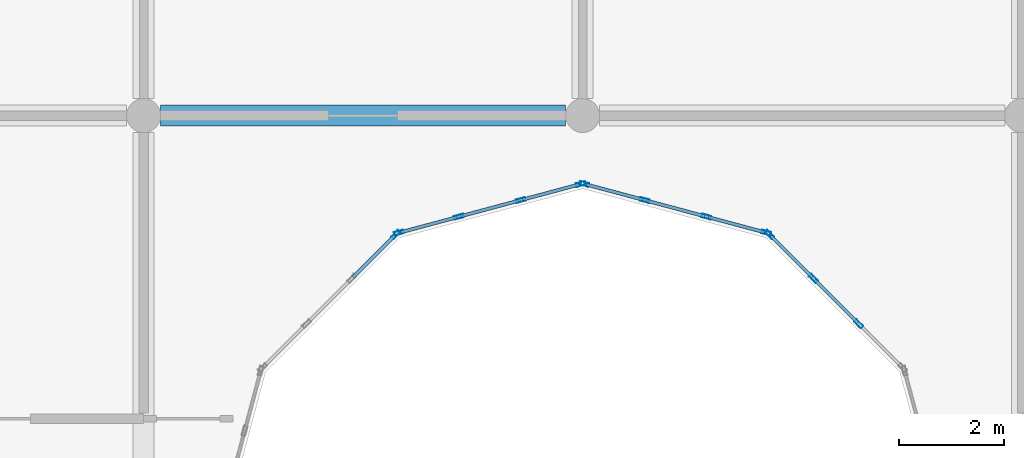
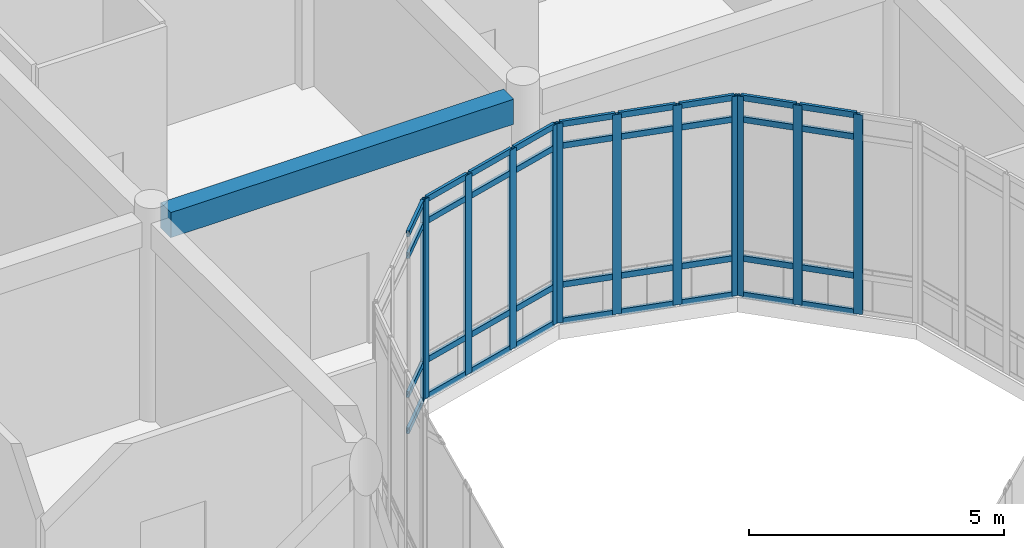
# One storey, part 47 of 134: 48 members, 1 beam, 4 elements without a shape of their own.
"""IFC4 building model written with IfcOpenShell, lengths in metres."""

from ifc_helpers import new_model, si_unit, direction, frame, origin, origin_2d, place, context, subcontext, project, spatial, rectangle, hollow_rectangle, extrude, material, layer, layer_set, material_profile, profile_set, type_object, element, aggregate, save


model = new_model("IFC4")

# Units and contexts
model_context = context("Model", 3, precision=1e-05, world=origin(), true_north=direction((0.0, 1.0)))
body_context = subcontext(model_context, "Body", "Model", "MODEL_VIEW")
ifc_project = project(units=[si_unit("LENGTHUNIT", "METRE"), si_unit("AREAUNIT", "SQUARE_METRE"), si_unit("VOLUMEUNIT", "CUBIC_METRE"), si_unit("PLANEANGLEUNIT", "RADIAN"), si_unit("MASSUNIT", "GRAM", prefix="KILO")], contexts=[model_context])

# Site, building, storey
site_placement = place(None, origin())
site = spatial("IfcSite", under=ifc_project, at=site_placement, CompositionType="ELEMENT")
building_placement = place(site_placement, origin())
building = spatial("IfcBuilding", under=site, at=building_placement, Name="Bramfleet General Hospital", CompositionType="ELEMENT")
storey_placement = place(building_placement, frame((0.0, 0.0, 9.300048828125)))
storey = spatial("IfcBuildingStorey", under=building, at=storey_placement, Name="L02", CompositionType="ELEMENT", Elevation=9.300048828125)

# Beam
ifc_material_1 = material(Name="Concrete C35/45", Category="concrete")
ifc_material_profile_1 = material_profile(ifc_material_1, rectangle(XDim=0.39990234375, YDim=0.60009765625, at=origin_2d()), Name="RC BM 600x400")
ifc_profile_set_1 = profile_set([ifc_material_profile_1], Name="Concrete C35/45")
beam_type = type_object("IfcBeamType", Name="BM-RC600", PredefinedType="BEAM", material=ifc_profile_set_1)
beam_placement = place(storey_placement, frame((75.925048828125, 84.0, 4.47998046875), z_axis=(1.0, 0.0, 0.0), x_axis=(0.0, 1.0, 0.0)))
element("IfcBeam", 1, at=beam_placement, inside=storey, type_object=beam_type, Name="L02 Grid Beam X 09-10", PredefinedType="BEAM", context=body_context, shape_type="SweptSolid", body=[
    extrude(rectangle(XDim=0.39990234375, YDim=0.60009765625, at=origin_2d()), origin(), (0.0, 0.0, 1.0), 7.75),
])

# Curtain wall, members
ifc_material_2 = material(Name="Anodised aluminium and low-E triple glazing", Category="aluminium")
ifc_layer_1 = layer(ifc_material_2, 0.179931640625, Name="CWT-CW-16")
ifc_layer_set_1 = layer_set([ifc_layer_1], Name="Anodised aluminium and low-E triple glazing")
curtain_wall_type_1 = type_object("IfcCurtainWallType", Name="CWT-CW-16", PredefinedType="USERDEFINED", material=ifc_layer_set_1)
curtain_wall_1_placement = place(storey_placement, origin())
curtain_wall_1 = element("IfcCurtainWall", 2, at=curtain_wall_1_placement, inside=storey, type_object=curtain_wall_type_1, Name="L02 Central Diagnostic Light Court Curtain Wall 8.1", ObjectType="Stick curtain wall", PredefinedType="USERDEFINED")
ifc_material_3 = material(Name="Anodised aluminium EN AW-6060", Category="aluminium")
ifc_material_profile_2 = material_profile(ifc_material_3, hollow_rectangle(XDim=0.070068359375, YDim=0.179931640625, WallThickness=0.00390625, at=origin_2d()), Name="ALU 180x70x4.0")
ifc_profile_set_2 = profile_set([ifc_material_profile_2], Name="Anodised aluminium EN AW-6060")
member_type_1 = type_object("IfcMemberType", Name="CWM-ALU180", PredefinedType="MULLION", material=ifc_profile_set_2)
member_1_placement = place(storey_placement, frame((89.28271484375, 80.016357421875, 0.0), z_axis=(0.0, 0.0, 1.0), x_axis=(-0.707106781187, -0.707106781187, 0.0)))
member_1 = element("IfcMember", 3, at=member_1_placement, type_object=member_type_1, Name="CW-16 mullion 2", PredefinedType="MULLION", context=body_context, shape_type="SweptSolid", body=[
    extrude(hollow_rectangle(XDim=0.070068359375, YDim=0.179931640625, WallThickness=0.00390625, at=origin_2d()), origin(), (0.0, 0.0, 1.0), 4.77001953125),
])
member_2_placement = place(storey_placement, frame((88.416259765625, 80.882568359375, 0.0), z_axis=(0.0, 0.0, 1.0), x_axis=(-0.707106781187, -0.707106781187, 0.0)))
member_2 = element("IfcMember", 4, at=member_2_placement, type_object=member_type_1, Name="CW-16 mullion 3", PredefinedType="MULLION", context=body_context, shape_type="SweptSolid", body=[
    extrude(hollow_rectangle(XDim=0.070068359375, YDim=0.179931640625, WallThickness=0.00390625, at=origin_2d()), origin(), (0.0, 0.0, 1.0), 4.77001953125),
])
member_3_placement = place(storey_placement, frame((87.57470703125, 81.724365234375, 0.0), z_axis=(0.0, 0.0, 1.0), x_axis=(-0.707106781187, -0.707106781187, 0.0)))
member_3 = element("IfcMember", 5, at=member_3_placement, type_object=member_type_1, Name="CW-16 mullion 4", PredefinedType="MULLION", context=body_context, shape_type="SweptSolid", body=[
    extrude(hollow_rectangle(XDim=0.070068359375, YDim=0.179931640625, WallThickness=0.00390625, at=origin_2d()), origin(), (0.0, 0.0, 1.0), 4.77001953125),
])

ifc_layer_2 = layer(ifc_material_2, 0.179931640625, Name="CWT-CW-17")
ifc_layer_set_2 = layer_set([ifc_layer_2], Name="Anodised aluminium and low-E triple glazing")
curtain_wall_type_2 = type_object("IfcCurtainWallType", Name="CWT-CW-17", PredefinedType="USERDEFINED", material=ifc_layer_set_2)
curtain_wall_2_placement = place(storey_placement, origin())
curtain_wall_2 = element("IfcCurtainWall", 6, at=curtain_wall_2_placement, inside=storey, type_object=curtain_wall_type_2, Name="L02 Central Diagnostic Light Court Curtain Wall 9.1", ObjectType="Stick curtain wall", PredefinedType="USERDEFINED")
member_4_placement = place(storey_placement, frame((87.51611328125, 81.758056640625, 0.0), z_axis=(0.0, 0.0, 1.0), x_axis=(-0.258763286618, -0.965940765005, 0.0)))
member_4 = element("IfcMember", 7, at=member_4_placement, type_object=member_type_1, Name="CW-17 mullion 1", PredefinedType="MULLION", context=body_context, shape_type="SweptSolid", body=[
    extrude(hollow_rectangle(XDim=0.070068359375, YDim=0.179931640625, WallThickness=0.00390625, at=origin_2d()), origin(), (0.0, 0.0, 1.0), 4.77001953125),
])
member_5_placement = place(storey_placement, frame((86.36669921875, 82.06591796875, 0.0), z_axis=(0.0, 0.0, 1.0), x_axis=(-0.258763286618, -0.965940765005, 0.0)))
member_5 = element("IfcMember", 8, at=member_5_placement, type_object=member_type_1, Name="CW-17 mullion 2", PredefinedType="MULLION", context=body_context, shape_type="SweptSolid", body=[
    extrude(hollow_rectangle(XDim=0.070068359375, YDim=0.179931640625, WallThickness=0.00390625, at=origin_2d()), origin(), (0.0, 0.0, 1.0), 4.77001953125),
])
member_6_placement = place(storey_placement, frame((85.183349609375, 82.383056640625, 0.0), z_axis=(0.0, 0.0, 1.0), x_axis=(-0.258763286618, -0.965940765005, 0.0)))
member_6 = element("IfcMember", 9, at=member_6_placement, type_object=member_type_1, Name="CW-17 mullion 3", PredefinedType="MULLION", context=body_context, shape_type="SweptSolid", body=[
    extrude(hollow_rectangle(XDim=0.070068359375, YDim=0.179931640625, WallThickness=0.00390625, at=origin_2d()), origin(), (0.0, 0.0, 1.0), 4.77001953125),
])
member_7_placement = place(storey_placement, frame((84.03369140625, 82.69091796875, 0.0), z_axis=(0.0, 0.0, 1.0), x_axis=(-0.258763286618, -0.965940765005, 0.0)))
member_7 = element("IfcMember", 10, at=member_7_placement, type_object=member_type_1, Name="CW-17 mullion 4", PredefinedType="MULLION", context=body_context, shape_type="SweptSolid", body=[
    extrude(hollow_rectangle(XDim=0.070068359375, YDim=0.179931640625, WallThickness=0.00390625, at=origin_2d()), origin(), (0.0, 0.0, 1.0), 4.77001953125),
])

ifc_layer_3 = layer(ifc_material_2, 0.179931640625, Name="CWT-CW-18")
ifc_layer_set_3 = layer_set([ifc_layer_3], Name="Anodised aluminium and low-E triple glazing")
curtain_wall_type_3 = type_object("IfcCurtainWallType", Name="CWT-CW-18", PredefinedType="USERDEFINED", material=ifc_layer_set_3)
curtain_wall_3_placement = place(storey_placement, origin())
curtain_wall_3 = element("IfcCurtainWall", 11, at=curtain_wall_3_placement, inside=storey, type_object=curtain_wall_type_3, Name="L02 Central Diagnostic Light Court Curtain Wall 10.1", ObjectType="Stick curtain wall", PredefinedType="USERDEFINED")
member_8_placement = place(storey_placement, frame((83.96630859375, 82.69091796875, 0.0), z_axis=(0.0, 0.0, 1.0), x_axis=(0.258763286618, -0.965940765005, 0.0)))
member_8 = element("IfcMember", 12, at=member_8_placement, type_object=member_type_1, Name="CW-18 mullion 1", PredefinedType="MULLION", context=body_context, shape_type="SweptSolid", body=[
    extrude(hollow_rectangle(XDim=0.070068359375, YDim=0.179931640625, WallThickness=0.00390625, at=origin_2d()), origin(), (0.0, 0.0, 1.0), 4.77001953125),
])
member_9_placement = place(storey_placement, frame((82.816650390625, 82.383056640625, 0.0), z_axis=(0.0, 0.0, 1.0), x_axis=(0.258763286618, -0.965940765005, 0.0)))
member_9 = element("IfcMember", 13, at=member_9_placement, type_object=member_type_1, Name="CW-18 mullion 2", PredefinedType="MULLION", context=body_context, shape_type="SweptSolid", body=[
    extrude(hollow_rectangle(XDim=0.070068359375, YDim=0.179931640625, WallThickness=0.00390625, at=origin_2d()), origin(), (0.0, 0.0, 1.0), 4.77001953125),
])
member_10_placement = place(storey_placement, frame((81.63330078125, 82.06591796875, 0.0), z_axis=(0.0, 0.0, 1.0), x_axis=(0.258763286618, -0.965940765005, 0.0)))
member_10 = element("IfcMember", 14, at=member_10_placement, type_object=member_type_1, Name="CW-18 mullion 3", PredefinedType="MULLION", context=body_context, shape_type="SweptSolid", body=[
    extrude(hollow_rectangle(XDim=0.070068359375, YDim=0.179931640625, WallThickness=0.00390625, at=origin_2d()), origin(), (0.0, 0.0, 1.0), 4.77001953125),
])
member_11_placement = place(storey_placement, frame((80.48388671875, 81.758056640625, 0.0), z_axis=(0.0, 0.0, 1.0), x_axis=(0.258763286618, -0.965940765005, 0.0)))
member_11 = element("IfcMember", 15, at=member_11_placement, type_object=member_type_1, Name="CW-18 mullion 4", PredefinedType="MULLION", context=body_context, shape_type="SweptSolid", body=[
    extrude(hollow_rectangle(XDim=0.070068359375, YDim=0.179931640625, WallThickness=0.00390625, at=origin_2d()), origin(), (0.0, 0.0, 1.0), 4.77001953125),
])

# Curtain wall, member
ifc_layer_4 = layer(ifc_material_2, 0.179931640625, Name="CWT-CW-11")
ifc_layer_set_4 = layer_set([ifc_layer_4], Name="Anodised aluminium and low-E triple glazing")
curtain_wall_type_4 = type_object("IfcCurtainWallType", Name="CWT-CW-11", PredefinedType="USERDEFINED", material=ifc_layer_set_4)
curtain_wall_4_placement = place(storey_placement, origin())
curtain_wall_4 = element("IfcCurtainWall", 16, at=curtain_wall_4_placement, inside=storey, type_object=curtain_wall_type_4, Name="L02 Central Diagnostic Light Court Curtain Wall 11.1", ObjectType="Stick curtain wall", PredefinedType="USERDEFINED")
member_12_placement = place(storey_placement, frame((80.42529296875, 81.724365234375, 0.0), z_axis=(0.0, 0.0, 1.0), x_axis=(0.707106781187, -0.707106781187, 0.0)))
member_12 = element("IfcMember", 17, at=member_12_placement, type_object=member_type_1, Name="CW-11 mullion 1", PredefinedType="MULLION", context=body_context, shape_type="SweptSolid", body=[
    extrude(hollow_rectangle(XDim=0.070068359375, YDim=0.179931640625, WallThickness=0.00390625, at=origin_2d()), origin(), (0.0, 0.0, 1.0), 4.77001953125),
])

# Member
ifc_material_profile_3 = material_profile(ifc_material_3, hollow_rectangle(XDim=0.06494140625, YDim=0.139892578125, WallThickness=0.00390625, at=origin_2d()), Name="ALU 140x65x4.0")
ifc_profile_set_3 = profile_set([ifc_material_profile_3], Name="Anodised aluminium EN AW-6060")
member_type_2 = type_object("IfcMemberType", Name="CWT-ALU140", PredefinedType="USERDEFINED", material=ifc_profile_set_3)
member_13_placement = place(storey_placement, frame((89.2578125, 80.041015625, 0.032470703125), z_axis=(-0.707001093006, 0.707212453572, 0.0), x_axis=(-0.707212453572, -0.707001093006, 0.0)))
member_13 = element("IfcMember", 18, at=member_13_placement, type_object=member_type_2, Name="CW-16 transom 2.1", ObjectType="TRANSOM", PredefinedType="USERDEFINED", context=body_context, shape_type="SweptSolid", body=[
    extrude(hollow_rectangle(XDim=0.06494140625, YDim=0.139892578125, WallThickness=0.00390625, at=origin_2d()), origin(), (0.0, 0.0, 1.0), 1.155029296875),
])

member_14_placement = place(storey_placement, frame((89.2578125, 80.041015625, 0.89990234375), z_axis=(-0.707001093006, 0.707212453572, 0.0), x_axis=(-0.707212453572, -0.707001093006, 0.0)))
member_14 = element("IfcMember", 19, at=member_14_placement, type_object=member_type_2, Name="CW-16 transom 2.2", ObjectType="TRANSOM", PredefinedType="USERDEFINED", context=body_context, shape_type="SweptSolid", body=[
    extrude(hollow_rectangle(XDim=0.06494140625, YDim=0.139892578125, WallThickness=0.00390625, at=origin_2d()), origin(), (0.0, 0.0, 1.0), 1.155029296875),
])

member_15_placement = place(storey_placement, frame((89.2578125, 80.041015625, 4.219970703125), z_axis=(-0.707001093006, 0.707212453572, 0.0), x_axis=(-0.707212453572, -0.707001093006, 0.0)))
member_15 = element("IfcMember", 20, at=member_15_placement, type_object=member_type_2, Name="CW-16 transom 2.3", ObjectType="TRANSOM", PredefinedType="USERDEFINED", context=body_context, shape_type="SweptSolid", body=[
    extrude(hollow_rectangle(XDim=0.06494140625, YDim=0.139892578125, WallThickness=0.00390625, at=origin_2d()), origin(), (0.0, 0.0, 1.0), 1.155029296875),
])

member_16_placement = place(storey_placement, frame((89.2578125, 80.041015625, 4.737548828125), z_axis=(-0.707001093006, 0.707212453572, 0.0), x_axis=(-0.707212453572, -0.707001093006, 0.0)))
member_16 = element("IfcMember", 21, at=member_16_placement, type_object=member_type_2, Name="CW-16 transom 2.4", ObjectType="TRANSOM", PredefinedType="USERDEFINED", context=body_context, shape_type="SweptSolid", body=[
    extrude(hollow_rectangle(XDim=0.06494140625, YDim=0.139892578125, WallThickness=0.00390625, at=origin_2d()), origin(), (0.0, 0.0, 1.0), 1.155029296875),
])

member_17_placement = place(storey_placement, frame((88.3916015625, 80.907470703125, 0.032470703125), z_axis=(-0.707106781187, 0.707106781187, 0.0), x_axis=(-0.707106781187, -0.707106781187, 0.0)))
member_17 = element("IfcMember", 22, at=member_17_placement, type_object=member_type_2, Name="CW-16 transom 3.1", ObjectType="TRANSOM", PredefinedType="USERDEFINED", context=body_context, shape_type="SweptSolid", body=[
    extrude(hollow_rectangle(XDim=0.06494140625, YDim=0.139892578125, WallThickness=0.00390625, at=origin_2d()), origin(), (0.0, 0.0, 1.0), 1.1201171875),
])

member_18_placement = place(storey_placement, frame((88.3916015625, 80.907470703125, 0.89990234375), z_axis=(-0.707106781187, 0.707106781187, 0.0), x_axis=(-0.707106781187, -0.707106781187, 0.0)))
member_18 = element("IfcMember", 23, at=member_18_placement, type_object=member_type_2, Name="CW-16 transom 3.2", ObjectType="TRANSOM", PredefinedType="USERDEFINED", context=body_context, shape_type="SweptSolid", body=[
    extrude(hollow_rectangle(XDim=0.06494140625, YDim=0.139892578125, WallThickness=0.00390625, at=origin_2d()), origin(), (0.0, 0.0, 1.0), 1.1201171875),
])

member_19_placement = place(storey_placement, frame((88.3916015625, 80.907470703125, 4.219970703125), z_axis=(-0.707106781187, 0.707106781187, 0.0), x_axis=(-0.707106781187, -0.707106781187, 0.0)))
member_19 = element("IfcMember", 24, at=member_19_placement, type_object=member_type_2, Name="CW-16 transom 3.3", ObjectType="TRANSOM", PredefinedType="USERDEFINED", context=body_context, shape_type="SweptSolid", body=[
    extrude(hollow_rectangle(XDim=0.06494140625, YDim=0.139892578125, WallThickness=0.00390625, at=origin_2d()), origin(), (0.0, 0.0, 1.0), 1.1201171875),
])

member_20_placement = place(storey_placement, frame((88.3916015625, 80.907470703125, 4.737548828125), z_axis=(-0.707106781187, 0.707106781187, 0.0), x_axis=(-0.707106781187, -0.707106781187, 0.0)))
member_20 = element("IfcMember", 25, at=member_20_placement, type_object=member_type_2, Name="CW-16 transom 3.4", ObjectType="TRANSOM", PredefinedType="USERDEFINED", context=body_context, shape_type="SweptSolid", body=[
    extrude(hollow_rectangle(XDim=0.06494140625, YDim=0.139892578125, WallThickness=0.00390625, at=origin_2d()), origin(), (0.0, 0.0, 1.0), 1.1201171875),
])

aggregate(curtain_wall_1, [member_1, member_2, member_3, member_13, member_14, member_15, member_16, member_17, member_18, member_19, member_20])

member_21_placement = place(storey_placement, frame((87.482421875, 81.76708984375, 0.032470703125), z_axis=(-0.965955832691, 0.25870703371, 0.0), x_axis=(-0.25870703371, -0.965955832691, 0.0)))
member_21 = element("IfcMember", 26, at=member_21_placement, type_object=member_type_2, Name="CW-17 transom 1.1", ObjectType="TRANSOM", PredefinedType="USERDEFINED", context=body_context, shape_type="SweptSolid", body=[
    extrude(hollow_rectangle(XDim=0.06494140625, YDim=0.139892578125, WallThickness=0.00390625, at=origin_2d()), origin(), (0.0, 0.0, 1.0), 1.1201171875),
])

member_22_placement = place(storey_placement, frame((87.482421875, 81.76708984375, 0.89990234375), z_axis=(-0.965955832691, 0.25870703371, 0.0), x_axis=(-0.25870703371, -0.965955832691, 0.0)))
member_22 = element("IfcMember", 27, at=member_22_placement, type_object=member_type_2, Name="CW-17 transom 1.2", ObjectType="TRANSOM", PredefinedType="USERDEFINED", context=body_context, shape_type="SweptSolid", body=[
    extrude(hollow_rectangle(XDim=0.06494140625, YDim=0.139892578125, WallThickness=0.00390625, at=origin_2d()), origin(), (0.0, 0.0, 1.0), 1.1201171875),
])

member_23_placement = place(storey_placement, frame((87.482421875, 81.76708984375, 4.219970703125), z_axis=(-0.965955832691, 0.25870703371, 0.0), x_axis=(-0.25870703371, -0.965955832691, 0.0)))
member_23 = element("IfcMember", 28, at=member_23_placement, type_object=member_type_2, Name="CW-17 transom 1.3", ObjectType="TRANSOM", PredefinedType="USERDEFINED", context=body_context, shape_type="SweptSolid", body=[
    extrude(hollow_rectangle(XDim=0.06494140625, YDim=0.139892578125, WallThickness=0.00390625, at=origin_2d()), origin(), (0.0, 0.0, 1.0), 1.1201171875),
])

member_24_placement = place(storey_placement, frame((87.482421875, 81.76708984375, 4.737548828125), z_axis=(-0.965955832691, 0.25870703371, 0.0), x_axis=(-0.25870703371, -0.965955832691, 0.0)))
member_24 = element("IfcMember", 29, at=member_24_placement, type_object=member_type_2, Name="CW-17 transom 1.4", ObjectType="TRANSOM", PredefinedType="USERDEFINED", context=body_context, shape_type="SweptSolid", body=[
    extrude(hollow_rectangle(XDim=0.06494140625, YDim=0.139892578125, WallThickness=0.00390625, at=origin_2d()), origin(), (0.0, 0.0, 1.0), 1.1201171875),
])

member_25_placement = place(storey_placement, frame((86.332763671875, 82.074951171875, 0.032470703125), z_axis=(-0.96590087162, 0.258912159242, 0.0), x_axis=(-0.258912159242, -0.96590087162, 0.0)))
member_25 = element("IfcMember", 30, at=member_25_placement, type_object=member_type_2, Name="CW-17 transom 2.1", ObjectType="TRANSOM", PredefinedType="USERDEFINED", context=body_context, shape_type="SweptSolid", body=[
    extrude(hollow_rectangle(XDim=0.06494140625, YDim=0.139892578125, WallThickness=0.00390625, at=origin_2d()), origin(), (0.0, 0.0, 1.0), 1.155029296875),
])

member_26_placement = place(storey_placement, frame((86.332763671875, 82.074951171875, 0.89990234375), z_axis=(-0.96590087162, 0.258912159242, 0.0), x_axis=(-0.258912159242, -0.96590087162, 0.0)))
member_26 = element("IfcMember", 31, at=member_26_placement, type_object=member_type_2, Name="CW-17 transom 2.2", ObjectType="TRANSOM", PredefinedType="USERDEFINED", context=body_context, shape_type="SweptSolid", body=[
    extrude(hollow_rectangle(XDim=0.06494140625, YDim=0.139892578125, WallThickness=0.00390625, at=origin_2d()), origin(), (0.0, 0.0, 1.0), 1.155029296875),
])

member_27_placement = place(storey_placement, frame((86.332763671875, 82.074951171875, 4.219970703125), z_axis=(-0.96590087162, 0.258912159242, 0.0), x_axis=(-0.258912159242, -0.96590087162, 0.0)))
member_27 = element("IfcMember", 32, at=member_27_placement, type_object=member_type_2, Name="CW-17 transom 2.3", ObjectType="TRANSOM", PredefinedType="USERDEFINED", context=body_context, shape_type="SweptSolid", body=[
    extrude(hollow_rectangle(XDim=0.06494140625, YDim=0.139892578125, WallThickness=0.00390625, at=origin_2d()), origin(), (0.0, 0.0, 1.0), 1.155029296875),
])

member_28_placement = place(storey_placement, frame((86.332763671875, 82.074951171875, 4.737548828125), z_axis=(-0.96590087162, 0.258912159242, 0.0), x_axis=(-0.258912159242, -0.96590087162, 0.0)))
member_28 = element("IfcMember", 33, at=member_28_placement, type_object=member_type_2, Name="CW-17 transom 2.4", ObjectType="TRANSOM", PredefinedType="USERDEFINED", context=body_context, shape_type="SweptSolid", body=[
    extrude(hollow_rectangle(XDim=0.06494140625, YDim=0.139892578125, WallThickness=0.00390625, at=origin_2d()), origin(), (0.0, 0.0, 1.0), 1.155029296875),
])

member_29_placement = place(storey_placement, frame((85.1494140625, 82.39208984375, 0.032470703125), z_axis=(-0.965941240814, 0.258761510459, 0.0), x_axis=(-0.258761510459, -0.965941240814, 0.0)))
member_29 = element("IfcMember", 34, at=member_29_placement, type_object=member_type_2, Name="CW-17 transom 3.1", ObjectType="TRANSOM", PredefinedType="USERDEFINED", context=body_context, shape_type="SweptSolid", body=[
    extrude(hollow_rectangle(XDim=0.06494140625, YDim=0.139892578125, WallThickness=0.00390625, at=origin_2d()), origin(), (0.0, 0.0, 1.0), 1.119873046875),
])

member_30_placement = place(storey_placement, frame((85.1494140625, 82.39208984375, 0.89990234375), z_axis=(-0.965941240814, 0.258761510459, 0.0), x_axis=(-0.258761510459, -0.965941240814, 0.0)))
member_30 = element("IfcMember", 35, at=member_30_placement, type_object=member_type_2, Name="CW-17 transom 3.2", ObjectType="TRANSOM", PredefinedType="USERDEFINED", context=body_context, shape_type="SweptSolid", body=[
    extrude(hollow_rectangle(XDim=0.06494140625, YDim=0.139892578125, WallThickness=0.00390625, at=origin_2d()), origin(), (0.0, 0.0, 1.0), 1.119873046875),
])

member_31_placement = place(storey_placement, frame((85.1494140625, 82.39208984375, 4.219970703125), z_axis=(-0.965941240814, 0.258761510459, 0.0), x_axis=(-0.258761510459, -0.965941240814, 0.0)))
member_31 = element("IfcMember", 36, at=member_31_placement, type_object=member_type_2, Name="CW-17 transom 3.3", ObjectType="TRANSOM", PredefinedType="USERDEFINED", context=body_context, shape_type="SweptSolid", body=[
    extrude(hollow_rectangle(XDim=0.06494140625, YDim=0.139892578125, WallThickness=0.00390625, at=origin_2d()), origin(), (0.0, 0.0, 1.0), 1.119873046875),
])

member_32_placement = place(storey_placement, frame((85.1494140625, 82.39208984375, 4.737548828125), z_axis=(-0.965941240814, 0.258761510459, 0.0), x_axis=(-0.258761510459, -0.965941240814, 0.0)))
member_32 = element("IfcMember", 37, at=member_32_placement, type_object=member_type_2, Name="CW-17 transom 3.4", ObjectType="TRANSOM", PredefinedType="USERDEFINED", context=body_context, shape_type="SweptSolid", body=[
    extrude(hollow_rectangle(XDim=0.06494140625, YDim=0.139892578125, WallThickness=0.00390625, at=origin_2d()), origin(), (0.0, 0.0, 1.0), 1.119873046875),
])

aggregate(curtain_wall_2, [member_4, member_5, member_6, member_7, member_21, member_22, member_23, member_24, member_25, member_26, member_27, member_28, member_29, member_30, member_31, member_32])

member_33_placement = place(storey_placement, frame((83.932373046875, 82.681884765625, 0.032470703125), z_axis=(-0.965941240814, -0.258761510459, 0.0), x_axis=(0.258761510459, -0.965941240814, 0.0)))
member_33 = element("IfcMember", 38, at=member_33_placement, type_object=member_type_2, Name="CW-18 transom 1.1", ObjectType="TRANSOM", PredefinedType="USERDEFINED", context=body_context, shape_type="SweptSolid", body=[
    extrude(hollow_rectangle(XDim=0.06494140625, YDim=0.139892578125, WallThickness=0.00390625, at=origin_2d()), origin(), (0.0, 0.0, 1.0), 1.119873046875),
])

member_34_placement = place(storey_placement, frame((83.932373046875, 82.681884765625, 0.89990234375), z_axis=(-0.965941240814, -0.258761510459, 0.0), x_axis=(0.258761510459, -0.965941240814, 0.0)))
member_34 = element("IfcMember", 39, at=member_34_placement, type_object=member_type_2, Name="CW-18 transom 1.2", ObjectType="TRANSOM", PredefinedType="USERDEFINED", context=body_context, shape_type="SweptSolid", body=[
    extrude(hollow_rectangle(XDim=0.06494140625, YDim=0.139892578125, WallThickness=0.00390625, at=origin_2d()), origin(), (0.0, 0.0, 1.0), 1.119873046875),
])

member_35_placement = place(storey_placement, frame((83.932373046875, 82.681884765625, 4.219970703125), z_axis=(-0.965941240814, -0.258761510459, 0.0), x_axis=(0.258761510459, -0.965941240814, 0.0)))
member_35 = element("IfcMember", 40, at=member_35_placement, type_object=member_type_2, Name="CW-18 transom 1.3", ObjectType="TRANSOM", PredefinedType="USERDEFINED", context=body_context, shape_type="SweptSolid", body=[
    extrude(hollow_rectangle(XDim=0.06494140625, YDim=0.139892578125, WallThickness=0.00390625, at=origin_2d()), origin(), (0.0, 0.0, 1.0), 1.119873046875),
])

member_36_placement = place(storey_placement, frame((83.932373046875, 82.681884765625, 4.737548828125), z_axis=(-0.965941240814, -0.258761510459, 0.0), x_axis=(0.258761510459, -0.965941240814, 0.0)))
member_36 = element("IfcMember", 41, at=member_36_placement, type_object=member_type_2, Name="CW-18 transom 1.4", ObjectType="TRANSOM", PredefinedType="USERDEFINED", context=body_context, shape_type="SweptSolid", body=[
    extrude(hollow_rectangle(XDim=0.06494140625, YDim=0.139892578125, WallThickness=0.00390625, at=origin_2d()), origin(), (0.0, 0.0, 1.0), 1.119873046875),
])

member_37_placement = place(storey_placement, frame((82.782958984375, 82.3740234375, 0.032470703125), z_axis=(-0.96590087162, -0.258912159242, 0.0), x_axis=(0.258912159242, -0.96590087162, 0.0)))
member_37 = element("IfcMember", 42, at=member_37_placement, type_object=member_type_2, Name="CW-18 transom 2.1", ObjectType="TRANSOM", PredefinedType="USERDEFINED", context=body_context, shape_type="SweptSolid", body=[
    extrude(hollow_rectangle(XDim=0.06494140625, YDim=0.139892578125, WallThickness=0.00390625, at=origin_2d()), origin(), (0.0, 0.0, 1.0), 1.155029296875),
])

member_38_placement = place(storey_placement, frame((82.782958984375, 82.3740234375, 0.89990234375), z_axis=(-0.96590087162, -0.258912159242, 0.0), x_axis=(0.258912159242, -0.96590087162, 0.0)))
member_38 = element("IfcMember", 43, at=member_38_placement, type_object=member_type_2, Name="CW-18 transom 2.2", ObjectType="TRANSOM", PredefinedType="USERDEFINED", context=body_context, shape_type="SweptSolid", body=[
    extrude(hollow_rectangle(XDim=0.06494140625, YDim=0.139892578125, WallThickness=0.00390625, at=origin_2d()), origin(), (0.0, 0.0, 1.0), 1.155029296875),
])

member_39_placement = place(storey_placement, frame((82.782958984375, 82.3740234375, 4.219970703125), z_axis=(-0.96590087162, -0.258912159242, 0.0), x_axis=(0.258912159242, -0.96590087162, 0.0)))
member_39 = element("IfcMember", 44, at=member_39_placement, type_object=member_type_2, Name="CW-18 transom 2.3", ObjectType="TRANSOM", PredefinedType="USERDEFINED", context=body_context, shape_type="SweptSolid", body=[
    extrude(hollow_rectangle(XDim=0.06494140625, YDim=0.139892578125, WallThickness=0.00390625, at=origin_2d()), origin(), (0.0, 0.0, 1.0), 1.155029296875),
])

member_40_placement = place(storey_placement, frame((82.782958984375, 82.3740234375, 4.737548828125), z_axis=(-0.96590087162, -0.258912159242, 0.0), x_axis=(0.258912159242, -0.96590087162, 0.0)))
member_40 = element("IfcMember", 45, at=member_40_placement, type_object=member_type_2, Name="CW-18 transom 2.4", ObjectType="TRANSOM", PredefinedType="USERDEFINED", context=body_context, shape_type="SweptSolid", body=[
    extrude(hollow_rectangle(XDim=0.06494140625, YDim=0.139892578125, WallThickness=0.00390625, at=origin_2d()), origin(), (0.0, 0.0, 1.0), 1.155029296875),
])

member_41_placement = place(storey_placement, frame((81.599609375, 82.056884765625, 0.032470703125), z_axis=(-0.965955832691, -0.25870703371, 0.0), x_axis=(0.25870703371, -0.965955832691, 0.0)))
member_41 = element("IfcMember", 46, at=member_41_placement, type_object=member_type_2, Name="CW-18 transom 3.1", ObjectType="TRANSOM", PredefinedType="USERDEFINED", context=body_context, shape_type="SweptSolid", body=[
    extrude(hollow_rectangle(XDim=0.06494140625, YDim=0.139892578125, WallThickness=0.00390625, at=origin_2d()), origin(), (0.0, 0.0, 1.0), 1.1201171875),
])

member_42_placement = place(storey_placement, frame((81.599609375, 82.056884765625, 0.89990234375), z_axis=(-0.965955832691, -0.25870703371, 0.0), x_axis=(0.25870703371, -0.965955832691, 0.0)))
member_42 = element("IfcMember", 47, at=member_42_placement, type_object=member_type_2, Name="CW-18 transom 3.2", ObjectType="TRANSOM", PredefinedType="USERDEFINED", context=body_context, shape_type="SweptSolid", body=[
    extrude(hollow_rectangle(XDim=0.06494140625, YDim=0.139892578125, WallThickness=0.00390625, at=origin_2d()), origin(), (0.0, 0.0, 1.0), 1.1201171875),
])

member_43_placement = place(storey_placement, frame((81.599609375, 82.056884765625, 4.219970703125), z_axis=(-0.965955832691, -0.25870703371, 0.0), x_axis=(0.25870703371, -0.965955832691, 0.0)))
member_43 = element("IfcMember", 48, at=member_43_placement, type_object=member_type_2, Name="CW-18 transom 3.3", ObjectType="TRANSOM", PredefinedType="USERDEFINED", context=body_context, shape_type="SweptSolid", body=[
    extrude(hollow_rectangle(XDim=0.06494140625, YDim=0.139892578125, WallThickness=0.00390625, at=origin_2d()), origin(), (0.0, 0.0, 1.0), 1.1201171875),
])

member_44_placement = place(storey_placement, frame((81.599609375, 82.056884765625, 4.737548828125), z_axis=(-0.965955832691, -0.25870703371, 0.0), x_axis=(0.25870703371, -0.965955832691, 0.0)))
member_44 = element("IfcMember", 49, at=member_44_placement, type_object=member_type_2, Name="CW-18 transom 3.4", ObjectType="TRANSOM", PredefinedType="USERDEFINED", context=body_context, shape_type="SweptSolid", body=[
    extrude(hollow_rectangle(XDim=0.06494140625, YDim=0.139892578125, WallThickness=0.00390625, at=origin_2d()), origin(), (0.0, 0.0, 1.0), 1.1201171875),
])

aggregate(curtain_wall_3, [member_8, member_9, member_10, member_11, member_33, member_34, member_35, member_36, member_37, member_38, member_39, member_40, member_41, member_42, member_43, member_44])

member_45_placement = place(storey_placement, frame((80.400390625, 81.699462890625, 0.032470703125), z_axis=(-0.707106781187, -0.707106781187, 0.0), x_axis=(0.707106781187, -0.707106781187, 0.0)))
member_45 = element("IfcMember", 50, at=member_45_placement, type_object=member_type_2, Name="CW-11 transom 1.1", ObjectType="TRANSOM", PredefinedType="USERDEFINED", context=body_context, shape_type="SweptSolid", body=[
    extrude(hollow_rectangle(XDim=0.06494140625, YDim=0.139892578125, WallThickness=0.00390625, at=origin_2d()), origin(), (0.0, 0.0, 1.0), 1.1201171875),
])

member_46_placement = place(storey_placement, frame((80.400390625, 81.699462890625, 0.89990234375), z_axis=(-0.707106781187, -0.707106781187, 0.0), x_axis=(0.707106781187, -0.707106781187, 0.0)))
member_46 = element("IfcMember", 51, at=member_46_placement, type_object=member_type_2, Name="CW-11 transom 1.2", ObjectType="TRANSOM", PredefinedType="USERDEFINED", context=body_context, shape_type="SweptSolid", body=[
    extrude(hollow_rectangle(XDim=0.06494140625, YDim=0.139892578125, WallThickness=0.00390625, at=origin_2d()), origin(), (0.0, 0.0, 1.0), 1.1201171875),
])

member_47_placement = place(storey_placement, frame((80.400390625, 81.699462890625, 4.219970703125), z_axis=(-0.707106781187, -0.707106781187, 0.0), x_axis=(0.707106781187, -0.707106781187, 0.0)))
member_47 = element("IfcMember", 52, at=member_47_placement, type_object=member_type_2, Name="CW-11 transom 1.3", ObjectType="TRANSOM", PredefinedType="USERDEFINED", context=body_context, shape_type="SweptSolid", body=[
    extrude(hollow_rectangle(XDim=0.06494140625, YDim=0.139892578125, WallThickness=0.00390625, at=origin_2d()), origin(), (0.0, 0.0, 1.0), 1.1201171875),
])

member_48_placement = place(storey_placement, frame((80.400390625, 81.699462890625, 4.737548828125), z_axis=(-0.707106781187, -0.707106781187, 0.0), x_axis=(0.707106781187, -0.707106781187, 0.0)))
member_48 = element("IfcMember", 53, at=member_48_placement, type_object=member_type_2, Name="CW-11 transom 1.4", ObjectType="TRANSOM", PredefinedType="USERDEFINED", context=body_context, shape_type="SweptSolid", body=[
    extrude(hollow_rectangle(XDim=0.06494140625, YDim=0.139892578125, WallThickness=0.00390625, at=origin_2d()), origin(), (0.0, 0.0, 1.0), 1.1201171875),
])

aggregate(curtain_wall_4, [member_12, member_45, member_46, member_47, member_48])

save(model, "model.ifc")
